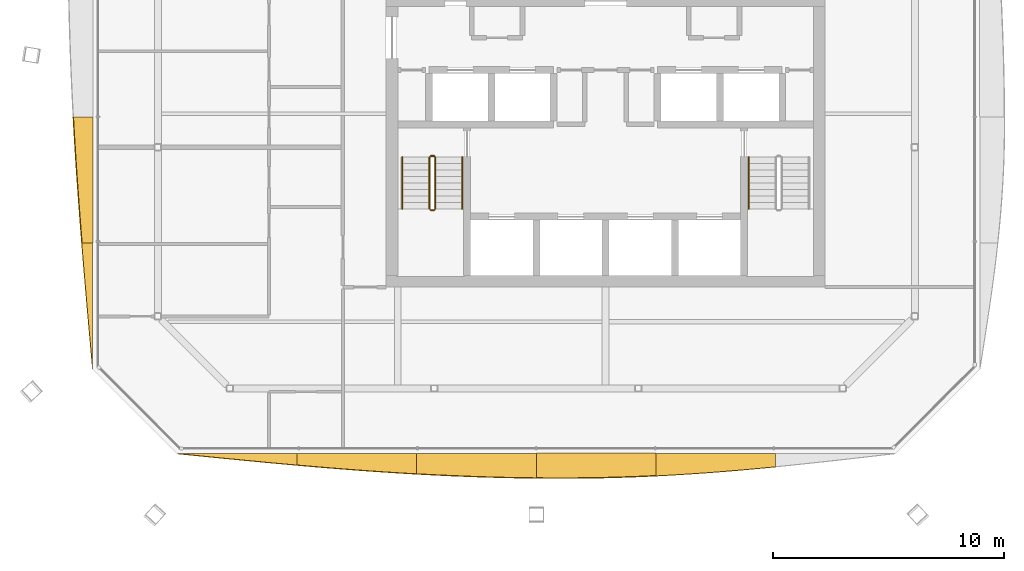
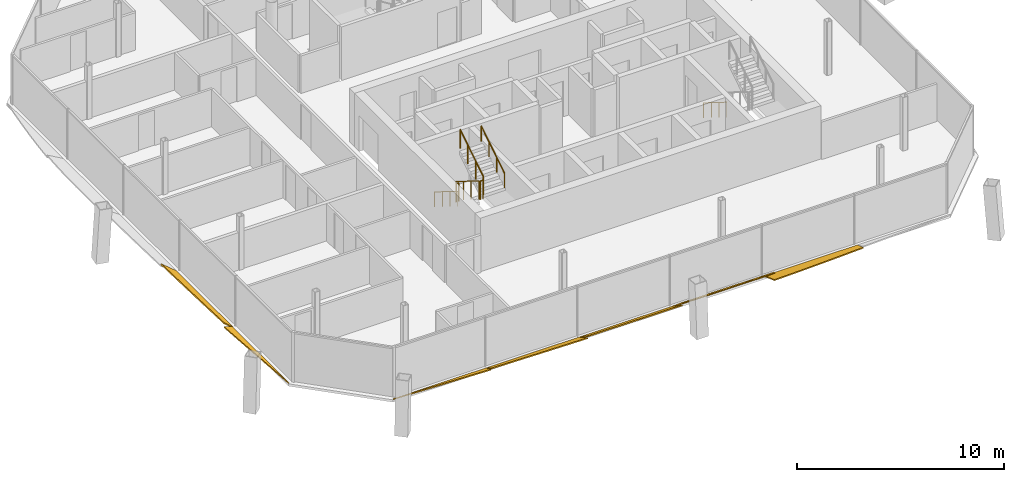
# One storey, part 15 of 18: 7 railings, 7 shading devices.
"""IFC4 building model written with IfcOpenShell, lengths in metres."""

from ifc_helpers import new_model, si_unit, direction, frame, origin, origin_2d, place, context, subcontext, project, spatial, polyline, circle, outline, extrude, material, layer, layer_set, type_object, element, save


model = new_model("IFC4")

# Units and contexts
model_context = context("Model", 3, precision=1e-05, world=origin(), true_north=direction((0.0, 1.0)))
body_context = subcontext(model_context, "Body", "Model", "MODEL_VIEW")
ifc_project = project(units=[si_unit("LENGTHUNIT", "METRE"), si_unit("AREAUNIT", "SQUARE_METRE"), si_unit("VOLUMEUNIT", "CUBIC_METRE"), si_unit("PLANEANGLEUNIT", "RADIAN"), si_unit("MASSUNIT", "GRAM", prefix="KILO")], contexts=[model_context])

# Site, building, storey
site_placement = place(None, origin())
site = spatial("IfcSite", under=ifc_project, at=site_placement, CompositionType="ELEMENT")
building_placement = place(site_placement, origin())
building = spatial("IfcBuilding", under=site, at=building_placement, Name="Tskaro Facet Tower", CompositionType="ELEMENT")
storey_placement = place(building_placement, frame((0.0, 0.0, 220.35009765625)))
storey = spatial("IfcBuildingStorey", under=building, at=storey_placement, Name="L56", CompositionType="ELEMENT", Elevation=220.35009765625)

# Shading devices
ifc_material_1 = material(Name="Bronze anodised aluminium 6063-T6", Category="aluminium")
ifc_layer = layer(ifc_material_1, 0.06005859375, Name="Bronze anodised aluminium 6063-T6")
ifc_layer_set = layer_set([ifc_layer], Name="Bronze anodised aluminium 6063-T6")
shading_device_type = type_object("IfcShadingDeviceType", Name="Bronze sun blade (FN1)", PredefinedType="USERDEFINED", material=ifc_layer_set)
shading_device_1_placement = place(storey_placement, frame((-18.5390625, -19.209716796875, 0.05419921875), z_axis=(9.064114e-06, 0.422865090329, 0.906192648005), x_axis=(0.999999999959, -3.832897e-06, -8.213833e-06)))
element("IfcShadingDevice", 1, at=shading_device_1_placement, inside=storey, type_object=shading_device_type, Name="Fin blade south 1", ObjectType="FIN", PredefinedType="USERDEFINED", context=body_context, shape_type="SweptSolid", body=[
    extrude(outline(polyline([(0.0, 0.0), (5.1796874997872235, 4.387365968981259e-21), (5.1796875002095835, -0.5514678983944993), (4.4396972661474035, -0.47763403190817305), (3.6997070306150874, -0.4017205422637952), (2.9599609371787206, -0.32384542935338145), (2.2199707025829936, -0.24411193172437953), (1.47998046919063, -0.1635082416820914), (0.7399902340605328, -0.08191635933450137), (0.0, 0.0)])), origin(), (0.0, 0.0, -1.0), 0.06005859375),
])
shading_device_2_placement = place(storey_placement, frame((-13.359375, -19.205078125, 0.0517578125), z_axis=(8.981635e-06, 0.500146989188, 0.865940522857), x_axis=(0.99999999996, -4.492138e-06, -7.777562e-06)))
element("IfcShadingDevice", 2, at=shading_device_2_placement, inside=storey, type_object=shading_device_type, Name="Fin blade south 2", ObjectType="FIN", PredefinedType="USERDEFINED", context=body_context, shape_type="SweptSolid", body=[
    extrude(outline(polyline([(0.0, 0.0), (5.179687499791078, 4.387365968981259e-21), (5.179687500772789, -1.0194208604109265), (4.439697265694289, -0.9690013063371812), (3.69970703095985, -0.9137666988500468), (2.959960936392357, -0.8540505554085323), (2.2199707029352567, -0.7902756985335808), (1.4799804693147207, -0.7225642344237295), (0.7399902339265374, -0.6515831979969959), (5.683446601495131e-10, -0.5770883768563058), (0.0, 0.0)])), origin(), (0.0, 0.0, -1.0), 0.06005859375),
])
shading_device_3_placement = place(storey_placement, frame((-8.1796875, -19.20068359375, 0.049072265625), z_axis=(-7.295722e-06, 0.573621095703, 0.819120771627), x_axis=(0.999999999973, 4.18498e-06, 5.976077e-06)))
element("IfcShadingDevice", 3, at=shading_device_3_placement, inside=storey, type_object=shading_device_type, Name="Fin blade south 3", ObjectType="FIN", PredefinedType="USERDEFINED", context=body_context, shape_type="SweptSolid", body=[
    extrude(outline(polyline([(0.0, 0.0), (5.1796874998621485, 0.0), (5.179687500076943, -1.2929704092299266), (4.439697264863932, -1.2803698952453542), (3.6997070317027947, -1.2614091878241762), (2.9597167970910814, -1.2363482040678528), (2.2199707031127884, -1.2053269881892064), (1.4799804685179292, -1.1683455401882359), (0.7399902343687762, -1.1257438849349048), (-3.5639368791074355e-10, -1.0777220030863537), (0.0, 0.0)])), origin(), (0.0, 0.0, -1.0), 0.06005859375),
])
shading_device_4_placement = place(storey_placement, frame((-3.0, -19.196533203125, 0.0458984375), z_axis=(9.225185e-06, 0.642846501209, 0.765995023351), x_axis=(0.999999999957, -5.930378e-06, -7.066446e-06)))
element("IfcShadingDevice", 4, at=shading_device_4_placement, inside=storey, type_object=shading_device_type, Name="Fin blade south 4", ObjectType="FIN", PredefinedType="USERDEFINED", context=body_context, shape_type="SweptSolid", body=[
    extrude(outline(polyline([(0.0, 0.0), (5.179687499779594, 0.0), (5.1796874999287414, -1.2567132445781133), (4.439697265541408, -1.300382352450601), (3.699707031464617, -1.3357363984004402), (2.9597167962505218, -1.3625883719238754), (2.21997070252668, -1.3804373726239683), (1.479980469043111, -1.389283400500719), (1.118896485299241, -1.3905022773555147), (0.7399902344222388, -1.3896273559510657), (-7.201720122410664e-10, -1.3826881158298034), (0.0, 0.0)])), origin(), (0.0, 0.0, -1.0), 0.06005859375),
])
shading_device_5_placement = place(storey_placement, frame((2.1796875, -19.214599609375, 0.056396484375), z_axis=(8.035288e-06, 0.341910329754, 0.939732582357), x_axis=(0.999999999968, -2.747348e-06, -7.551022e-06)))
element("IfcShadingDevice", 5, at=shading_device_5_placement, inside=storey, type_object=shading_device_type, Name="Fin blade south 5", ObjectType="FIN", PredefinedType="USERDEFINED", context=body_context, shape_type="SweptSolid", body=[
    extrude(outline(polyline([(0.0, 0.0), (5.179687499832784, 2.1936829844906294e-21), (5.179687499526433, -0.606122554853434), (4.439697265450288, -0.6811917201208183), (3.6997070310326428, -0.7518597828786394), (2.9597167974462693, -0.8178138420252975), (2.2197265626789506, -0.8783656168608021), (1.4799804685284494, -0.9332022062835535), (0.7399902342468158, -0.9817812822919554), (-7.137310286752343e-10, -1.024415745987607), (0.0, 0.0)])), origin(), (0.0, 0.0, -1.0), 0.06005859375),
])
shading_device_6_placement = place(storey_placement, frame((-22.196533203125, -4.63818359375, 0.0458984375), z_axis=(0.642851307833, -3.435242e-06, 0.765990989506), x_axis=(-2.20835e-06, -0.999999999994, -2.631365e-06)))
element("IfcShadingDevice", 6, at=shading_device_6_placement, inside=storey, type_object=shading_device_type, Name="Fin blade west 4", ObjectType="FIN", PredefinedType="USERDEFINED", context=body_context, shape_type="SweptSolid", body=[
    extrude(outline(polyline([(0.0, 0.0), (5.45043945309284, 1.1541754484528964e-21), (5.450439453026384, -0.614837130408959), (4.769042968419696, -0.6850142567864728), (4.087890625057658, -0.7531276493299804), (3.406494140611976, -0.8188032890016348), (2.725097656350071, -0.8818842296813585), (2.043945312461069, -0.9418395062112268), (1.3625488282341212, -0.9988561281101636), (0.6813964844833518, -1.0524031302202437), (-1.4451200619679602e-10, -1.1028244681804686), (0.0, 0.0)])), origin(), (0.0, 0.0, -1.0), 0.06005859375),
])
shading_device_7_placement = place(storey_placement, frame((-22.214599609375, -10.088623046875, 0.056396484375), z_axis=(0.341781529671, -1.9354064e-05, 0.939779434549), x_axis=(-6.614862e-06, -0.999999999813, -1.8188551e-05)))
element("IfcShadingDevice", 7, at=shading_device_7_placement, inside=storey, type_object=shading_device_type, Name="Fin blade west 5", ObjectType="FIN", PredefinedType="USERDEFINED", context=body_context, shape_type="SweptSolid", body=[
    extrude(outline(polyline([(0.0, 0.0), (5.450439452104188, 4.616701793811586e-21), (4.769042970330176, -0.06463999436588624), (4.087890624740553, -0.12936343148805549), (3.406494139736628, -0.19354454917682992), (2.7250976559433537, -0.2571833474322096), (2.043945310755773, -0.3198209495770828), (1.3625488289794967, -0.38160335119372224), (0.6813964825790004, -0.44192568002274335), (-2.0251472697075695e-09, -0.5011633699849749), (0.0, 0.0)])), origin(), (0.0, 0.0, -1.0), 0.06005859375),
])

# Railings
ifc_material_2 = material(Name="Stainless steel", Category="steel")
railing_type_1 = type_object("IfcRailingType", Name="RL-GUARD-1100", PredefinedType="GUARDRAIL", material=ifc_material_2)
railing_1_placement = place(storey_placement, frame((-7.625, -6.375, 0.1748046875)))
element("IfcRailing", 8, at=railing_1_placement, inside=storey, type_object=railing_type_1, Name="L56 ST-1 stair guard 1", PredefinedType="GUARDRAIL", context=body_context, shape_type="SweptSolid", body=[
    extrude(circle(Radius=0.02392578125, at=origin_2d()), frame((0.0, 0.0, 1.076171875), z_axis=(0.0, -0.847972341737, 0.530040477369), x_axis=(1.0, 0.0, 0.0)), (0.0, 0.0, 1.0), 2.6416015625),
    extrude(circle(Radius=0.02099609375, at=origin_2d()), origin(), (0.0, 0.0, 1.0), 1.052001953125),
    extrude(circle(Radius=0.02099609375, at=origin_2d()), frame((0.0, -0.74658203125, 0.466796875)), (0.0, 0.0, 1.0), 1.052001953125),
    extrude(circle(Radius=0.02099609375, at=origin_2d()), frame((0.0, -1.493408203125, 0.933349609375)), (0.0, 0.0, 1.0), 1.052001953125),
    extrude(circle(Radius=0.02099609375, at=origin_2d()), frame((0.0, -2.239990234375, 1.400146484375)), (0.0, 0.0, 1.0), 1.052001953125),
])
railing_2_placement = place(storey_placement, frame((-7.574951171875, -8.6650390625, 1.574951171875)))
element("IfcRailing", 9, at=railing_2_placement, inside=storey, type_object=railing_type_1, Name="L56 ST-1 stair guard 2", PredefinedType="GUARDRAIL", context=body_context, shape_type="SweptSolid", body=[
    extrude(circle(Radius=0.02392578125, at=origin_2d()), frame((0.0, 0.0, 1.076171875), z_axis=(1.0, 0.0, 0.0), x_axis=(0.0, 1.0, 0.0)), (0.0, 0.0, 1.0), 0.14990234375),
    extrude(circle(Radius=0.02099609375, at=origin_2d()), origin(), (0.0, 0.0, 1.0), 1.052001953125),
    extrude(circle(Radius=0.02099609375, at=origin_2d()), frame((0.14990234375, 0.0, 0.0)), (0.0, 0.0, 1.0), 1.052001953125),
])
railing_3_placement = place(storey_placement, frame((-7.375, -8.614990234375, 1.75)))
element("IfcRailing", 10, at=railing_3_placement, inside=storey, type_object=railing_type_1, Name="L56 ST-1 stair guard 3", PredefinedType="GUARDRAIL", context=body_context, shape_type="SweptSolid", body=[
    extrude(circle(Radius=0.02392578125, at=origin_2d()), frame((0.0, 0.0, 1.076171875), z_axis=(0.0, 0.848013881152, 0.529974015752), x_axis=(-1.0, 0.0, 0.0)), (0.0, 0.0, 1.0), 2.641357421875),
    extrude(circle(Radius=0.02099609375, at=origin_2d()), origin(), (0.0, 0.0, 1.0), 1.052001953125),
    extrude(circle(Radius=0.02099609375, at=origin_2d()), frame((0.0, 0.74658203125, 0.466552734375)), (0.0, 0.0, 1.0), 1.052001953125),
    extrude(circle(Radius=0.02099609375, at=origin_2d()), frame((0.0, 1.493408203125, 0.933349609375)), (0.0, 0.0, 1.0), 1.052001953125),
    extrude(circle(Radius=0.02099609375, at=origin_2d()), frame((0.0, 2.239990234375, 1.39990234375)), (0.0, 0.0, 1.0), 1.052001953125),
])
railing_4_placement = place(storey_placement, frame((-7.574951171875, -6.324951171875, 0.0)))
element("IfcRailing", 11, at=railing_4_placement, inside=storey, type_object=railing_type_1, Name="L56 ST-1 stair guard 4", PredefinedType="GUARDRAIL", context=body_context, shape_type="SweptSolid", body=[
    extrude(circle(Radius=0.02392578125, at=origin_2d()), frame((0.0, 0.0, 1.076171875), z_axis=(1.0, 0.0, 0.0), x_axis=(0.0, 1.0, 0.0)), (0.0, 0.0, 1.0), 0.14990234375),
    extrude(circle(Radius=0.02099609375, at=origin_2d()), origin(), (0.0, 0.0, 1.0), 1.052001953125),
    extrude(circle(Radius=0.02099609375, at=origin_2d()), frame((0.14990234375, 0.0, 0.0)), (0.0, 0.0, 1.0), 1.052001953125),
])
railing_type_2 = type_object("IfcRailingType", Name="RL-HANDRAIL-900", PredefinedType="HANDRAIL", material=ifc_material_2)
railing_5_placement = place(storey_placement, frame((-8.800048828125, -6.375, 0.1748046875)))
element("IfcRailing", 12, at=railing_5_placement, inside=storey, type_object=railing_type_2, Name="L56 ST-1 stair handrail 1", PredefinedType="HANDRAIL", context=body_context, shape_type="SweptSolid", body=[
    extrude(circle(Radius=0.02392578125, at=origin_2d()), frame((0.0, 0.0, 0.8759765625), z_axis=(0.0, -0.847972341737, 0.530040477369), x_axis=(1.0, 0.0, 0.0)), (0.0, 0.0, 1.0), 2.6416015625),
    extrude(circle(Radius=0.02099609375, at=origin_2d()), origin(), (0.0, 0.0, 1.0), 0.851806640625),
    extrude(circle(Radius=0.02099609375, at=origin_2d()), frame((0.0, -0.74658203125, 0.466796875)), (0.0, 0.0, 1.0), 0.851806640625),
    extrude(circle(Radius=0.02099609375, at=origin_2d()), frame((0.0, -1.493408203125, 0.933349609375)), (0.0, 0.0, 1.0), 0.851806640625),
    extrude(circle(Radius=0.02099609375, at=origin_2d()), frame((0.0, -2.239990234375, 1.400146484375)), (0.0, 0.0, 1.0), 0.851806640625),
])
railing_6_placement = place(storey_placement, frame((-6.199951171875, -8.614990234375, 1.75)))
element("IfcRailing", 13, at=railing_6_placement, inside=storey, type_object=railing_type_2, Name="L56 ST-1 stair handrail 2", PredefinedType="HANDRAIL", context=body_context, shape_type="SweptSolid", body=[
    extrude(circle(Radius=0.02392578125, at=origin_2d()), frame((0.0, 0.0, 0.8759765625), z_axis=(0.0, 0.848013881152, 0.529974015752), x_axis=(-1.0, 0.0, 0.0)), (0.0, 0.0, 1.0), 2.641357421875),
    extrude(circle(Radius=0.02099609375, at=origin_2d()), origin(), (0.0, 0.0, 1.0), 0.851806640625),
    extrude(circle(Radius=0.02099609375, at=origin_2d()), frame((0.0, 0.74658203125, 0.466552734375)), (0.0, 0.0, 1.0), 0.851806640625),
    extrude(circle(Radius=0.02099609375, at=origin_2d()), frame((0.0, 1.493408203125, 0.933349609375)), (0.0, 0.0, 1.0), 0.851806640625),
    extrude(circle(Radius=0.02099609375, at=origin_2d()), frame((0.0, 2.239990234375, 1.39990234375)), (0.0, 0.0, 1.0), 0.851806640625),
])
railing_7_placement = place(storey_placement, frame((6.199951171875, -6.375, 0.1748046875)))
element("IfcRailing", 14, at=railing_7_placement, inside=storey, type_object=railing_type_2, Name="L56 ST-2 stair handrail 1", PredefinedType="HANDRAIL", context=body_context, shape_type="SweptSolid", body=[
    extrude(circle(Radius=0.02392578125, at=origin_2d()), frame((0.0, 0.0, 0.8759765625), z_axis=(0.0, -0.847972341737, 0.530040477369), x_axis=(1.0, 0.0, 0.0)), (0.0, 0.0, 1.0), 2.6416015625),
    extrude(circle(Radius=0.02099609375, at=origin_2d()), origin(), (0.0, 0.0, 1.0), 0.851806640625),
    extrude(circle(Radius=0.02099609375, at=origin_2d()), frame((0.0, -0.74658203125, 0.466796875)), (0.0, 0.0, 1.0), 0.851806640625),
    extrude(circle(Radius=0.02099609375, at=origin_2d()), frame((0.0, -1.493408203125, 0.933349609375)), (0.0, 0.0, 1.0), 0.851806640625),
    extrude(circle(Radius=0.02099609375, at=origin_2d()), frame((0.0, -2.239990234375, 1.400146484375)), (0.0, 0.0, 1.0), 0.851806640625),
])

save(model, "model.ifc")
